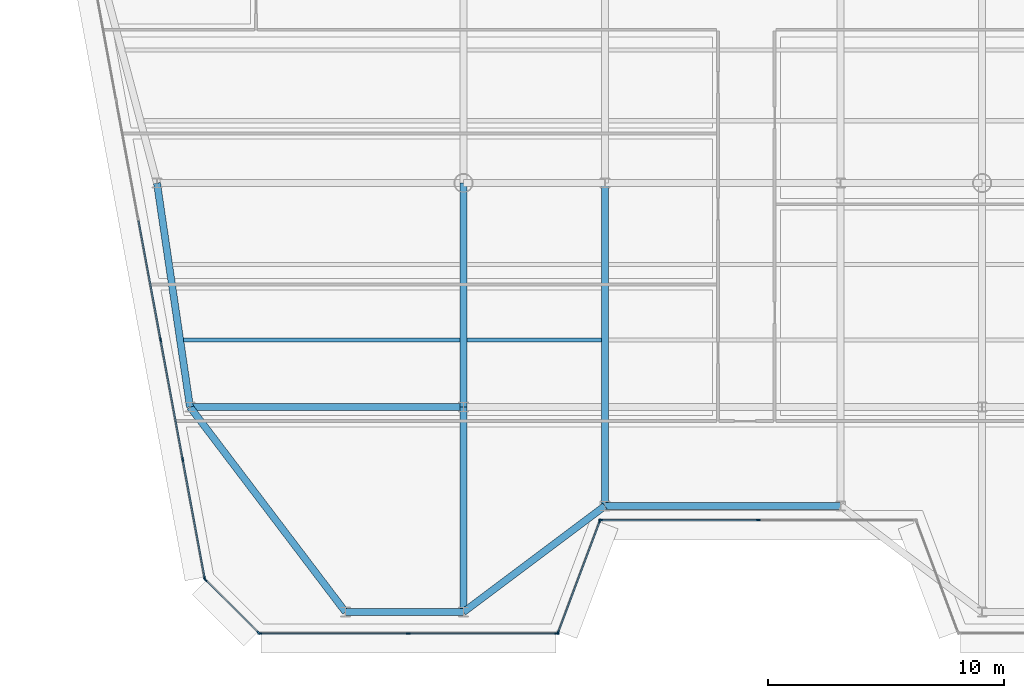
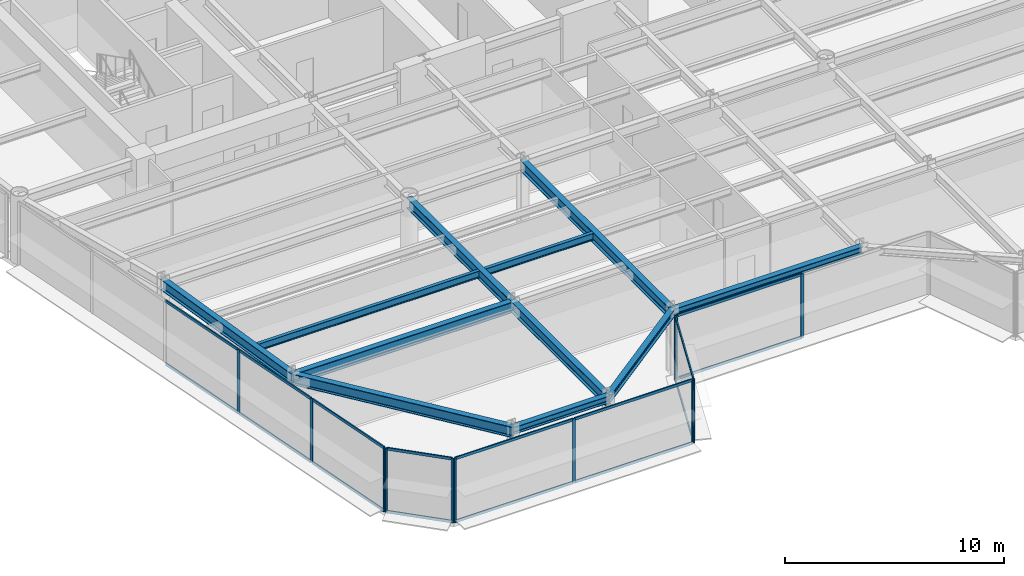
# One storey, part 2 of 16: 28 members, 11 beams, 5 elements without a shape of their own.
"""IFC4 building model written with IfcOpenShell, lengths in metres."""

from ifc_helpers import new_model, si_unit, direction, frame, origin, origin_2d, place, context, subcontext, project, spatial, rectangle, i_section, extrude, source, transform, mapped, material, layer, layer_set, material_profile, profile_set, type_object, element, aggregate, save


model = new_model("IFC4")

# Units and contexts
model_context = context("Model", 3, precision=1e-05, world=origin(), true_north=direction((0.0, 1.0)))
body_context = subcontext(model_context, "Body", "Model", "MODEL_VIEW")
ifc_project = project(units=[si_unit("LENGTHUNIT", "METRE"), si_unit("AREAUNIT", "SQUARE_METRE"), si_unit("VOLUMEUNIT", "CUBIC_METRE"), si_unit("PLANEANGLEUNIT", "RADIAN"), si_unit("MASSUNIT", "GRAM", prefix="KILO")], contexts=[model_context])

# Site, building, storey
site_placement = place(None, origin())
site = spatial("IfcSite", under=ifc_project, at=site_placement, CompositionType="ELEMENT")
building_placement = place(site_placement, origin())
building = spatial("IfcBuilding", under=site, at=building_placement, Name="Vaeldorn Concourse Tower", CompositionType="ELEMENT")
storey_placement = place(building_placement, frame((0.0, 0.0, 223.199951171875)))
storey = spatial("IfcBuildingStorey", under=building, at=storey_placement, Name="L57", CompositionType="ELEMENT", Elevation=223.199951171875)

# Beams
ifc_material_1 = material(Name="Steel S355", Category="steel")
ifc_material_profile_1 = material_profile(ifc_material_1, i_section(OverallWidth=0.300048828125, OverallDepth=0.60009765625, WebThickness=0.015380859375, FlangeThickness=0.030029296875, FilletRadius=0.027099609375, at=origin_2d()), Name="HEB 600")
ifc_profile_set_1 = profile_set([ifc_material_profile_1], Name="Steel S355")
beam_type_1 = type_object("IfcBeamType", Name="BM-PG-HEB600", PredefinedType="BEAM", material=ifc_profile_set_1)
shared_shape_1 = source(origin(), body_context, "Body", "SweptSolid", [
    extrude(i_section(OverallWidth=0.300048828125, OverallDepth=0.60009765625, WebThickness=0.015380859375, FlangeThickness=0.030029296875, FilletRadius=0.027099609375, at=origin_2d()), origin(), (0.0, 0.0, 1.0), 9.6025390625),
])
beam_1_placement = place(storey_placement, frame((10.0, 27.5, 3.280029296875), z_axis=(0.145783835977, -0.989316467652, 0.0), x_axis=(0.989316467652, 0.145783835977, 0.0)))
element("IfcBeam", 1, at=beam_1_placement, inside=storey, type_object=beam_type_1, Name="Beam BM-L57-C-FLW1-C-FLW2", PredefinedType="BEAM", context=body_context, shape_type="MappedRepresentation", body=[
    mapped(shared_shape_1, transform((0.0, 0.0, 0.0), scale=1.0)),
])
shared_shape_2 = source(origin(), body_context, "Body", "SweptSolid", [
    extrude(i_section(OverallWidth=0.300048828125, OverallDepth=0.60009765625, WebThickness=0.015380859375, FlangeThickness=0.030029296875, FilletRadius=0.027099609375, at=origin_2d()), origin(), (0.0, 0.0, 1.0), 11.60009765625),
])
beam_2_placement = place(storey_placement, frame((11.39990234375, 18.0, 3.280029296875), z_axis=(1.0, 0.0, 0.0), x_axis=(0.0, 1.0, 0.0)))
element("IfcBeam", 2, at=beam_2_placement, inside=storey, type_object=beam_type_1, Name="Beam BM-L57-C-FLW2-C-TW5", PredefinedType="BEAM", context=body_context, shape_type="MappedRepresentation", body=[
    mapped(shared_shape_2, transform((0.0, 0.0, 0.0), scale=1.0)),
])
shared_shape_3 = source(origin(), body_context, "Body", "SweptSolid", [
    extrude(i_section(OverallWidth=0.300048828125, OverallDepth=0.60009765625, WebThickness=0.015380859375, FlangeThickness=0.030029296875, FilletRadius=0.027099609375, at=origin_2d()), origin(), (0.0, 0.0, 1.0), 9.5),
])
beam_3_placement = place(storey_placement, frame((23.0, 18.0, 3.280029296875), z_axis=(0.0, 1.0, 0.0), x_axis=(-1.0, 0.0, 0.0)))
element("IfcBeam", 3, at=beam_3_placement, inside=storey, type_object=beam_type_1, Name="Beam BM-L57-C-TW5-C-TW1", PredefinedType="BEAM", context=body_context, shape_type="MappedRepresentation", body=[
    mapped(shared_shape_3, transform((0.0, 0.0, 0.0), scale=1.0)),
])
ifc_material_profile_2 = material_profile(ifc_material_1, i_section(OverallWidth=0.300048828125, OverallDepth=0.39990234375, WebThickness=0.013427734375, FlangeThickness=0.02392578125, FilletRadius=0.027099609375, at=origin_2d()), Name="HEB 400")
ifc_profile_set_2 = profile_set([ifc_material_profile_2], Name="Steel S355")
beam_type_2 = type_object("IfcBeamType", Name="BM-SP-HEB400", PredefinedType="SPANDREL", material=ifc_profile_set_2)
shared_shape_4 = source(origin(), body_context, "Body", "SweptSolid", [
    extrude(i_section(OverallWidth=0.300048828125, OverallDepth=0.39990234375, WebThickness=0.013427734375, FlangeThickness=0.02392578125, FilletRadius=0.027099609375, at=origin_2d()), origin(), (0.0, 0.0, 1.0), 5.0),
])
beam_4_placement = place(storey_placement, frame((18.0, 9.300048828125, 3.380126953125), z_axis=(1.0, 0.0, 0.0), x_axis=(0.0, 1.0, 0.0)))
element("IfcBeam", 4, at=beam_4_placement, inside=storey, type_object=beam_type_2, Name="Beam BM-L57-C-SF1-C-SF2", PredefinedType="SPANDREL", context=body_context, shape_type="MappedRepresentation", body=[
    mapped(shared_shape_4, transform((0.0, 0.0, 0.0), scale=1.0)),
])
shared_shape_5 = source(origin(), body_context, "Body", "SweptSolid", [
    extrude(i_section(OverallWidth=0.300048828125, OverallDepth=0.39990234375, WebThickness=0.013427734375, FlangeThickness=0.02392578125, FilletRadius=0.027099609375, at=origin_2d()), origin(), (0.0, 0.0, 1.0), 7.5),
])
beam_5_placement = place(storey_placement, frame((23.0, 9.300048828125, 3.380126953125), z_axis=(0.8, 0.6, 0.0), x_axis=(-0.6, 0.8, 0.0)))
element("IfcBeam", 5, at=beam_5_placement, inside=storey, type_object=beam_type_2, Name="Beam BM-L57-C-SF2-C-SF3", PredefinedType="SPANDREL", context=body_context, shape_type="MappedRepresentation", body=[
    mapped(shared_shape_5, transform((0.0, 0.0, 0.0), scale=1.0)),
])
shared_shape_6 = source(origin(), body_context, "Body", "SweptSolid", [
    extrude(i_section(OverallWidth=0.300048828125, OverallDepth=0.39990234375, WebThickness=0.013427734375, FlangeThickness=0.02392578125, FilletRadius=0.027099609375, at=origin_2d()), origin(), (0.0, 0.0, 1.0), 10.0),
])
beam_6_placement = place(storey_placement, frame((29.0, 13.800048828125, 3.380126953125), z_axis=(1.0, 0.0, 0.0), x_axis=(0.0, 1.0, 0.0)))
element("IfcBeam", 6, at=beam_6_placement, inside=storey, type_object=beam_type_2, Name="Beam BM-L57-C-SF3-C-SF4", PredefinedType="SPANDREL", context=body_context, shape_type="MappedRepresentation", body=[
    mapped(shared_shape_6, transform((0.0, 0.0, 0.0), scale=1.0)),
])
ifc_material_profile_3 = material_profile(ifc_material_1, i_section(OverallWidth=0.179931640625, OverallDepth=0.39990234375, WebThickness=0.008544921875, FlangeThickness=0.013427734375, FilletRadius=0.02099609375, at=origin_2d()), Name="IPE 400")
ifc_profile_set_3 = profile_set([ifc_material_profile_3], Name="Steel S355")
beam_type_3 = type_object("IfcBeamType", Name="BM-JS-IPE400", PredefinedType="JOIST", material=ifc_profile_set_3)
shared_shape_7 = source(origin(), body_context, "Body", "SweptSolid", [
    extrude(i_section(OverallWidth=0.179931640625, OverallDepth=0.39990234375, WebThickness=0.008544921875, FlangeThickness=0.013427734375, FilletRadius=0.02099609375, at=origin_2d()), origin(), (0.0, 0.0, 1.0), 5.7001953125),
])
beam_7_placement = place(storey_placement, frame((23.14990234375, 20.840087890625, 3.380126953125), z_axis=(1.0, 0.0, 0.0), x_axis=(0.0, 1.0, 0.0)))
element("IfcBeam", 7, at=beam_7_placement, inside=storey, type_object=beam_type_3, Name="Beam JS-L57-W2-208", PredefinedType="JOIST", context=body_context, shape_type="MappedRepresentation", body=[
    mapped(shared_shape_7, transform((0.0, 0.0, 0.0), scale=1.0)),
])
shared_shape_8 = source(origin(), body_context, "Body", "SweptSolid", [
    extrude(i_section(OverallWidth=0.300048828125, OverallDepth=0.60009765625, WebThickness=0.015380859375, FlangeThickness=0.030029296875, FilletRadius=0.027099609375, at=origin_2d()), origin(), (0.0, 0.0, 1.0), 10.920166015625),
])
beam_8_placement = place(storey_placement, frame((18.0, 9.300048828125, 3.280029296875), z_axis=(-0.604394310451, 0.796685331542, 0.0), x_axis=(-0.796685331542, -0.604394310451, 0.0)))
element("IfcBeam", 8, at=beam_8_placement, inside=storey, type_object=beam_type_1, Name="Beam BM-L57-C-SF1-C-FLW2", PredefinedType="BEAM", context=body_context, shape_type="MappedRepresentation", body=[
    mapped(shared_shape_8, transform((0.0, 0.0, 0.0), scale=1.0)),
])
shared_shape_9 = source(origin(), body_context, "Body", "SweptSolid", [
    extrude(i_section(OverallWidth=0.300048828125, OverallDepth=0.60009765625, WebThickness=0.015380859375, FlangeThickness=0.030029296875, FilletRadius=0.027099609375, at=origin_2d()), origin(), (0.0, 0.0, 1.0), 8.699951171875),
])
beam_9_placement = place(storey_placement, frame((23.0, 9.300048828125, 3.280029296875), z_axis=(0.0, 1.0, 0.0), x_axis=(-1.0, 0.0, 0.0)))
element("IfcBeam", 9, at=beam_9_placement, inside=storey, type_object=beam_type_1, Name="Beam BM-L57-C-SF2-C-TW5", PredefinedType="BEAM", context=body_context, shape_type="MappedRepresentation", body=[
    mapped(shared_shape_9, transform((0.0, 0.0, 0.0), scale=1.0)),
])
shared_shape_10 = source(origin(), body_context, "Body", "SweptSolid", [
    extrude(i_section(OverallWidth=0.300048828125, OverallDepth=0.60009765625, WebThickness=0.015380859375, FlangeThickness=0.030029296875, FilletRadius=0.027099609375, at=origin_2d()), origin(), (0.0, 0.0, 1.0), 13.699951171875),
])
beam_10_placement = place(storey_placement, frame((29.0, 13.800048828125, 3.280029296875), z_axis=(0.0, 1.0, 0.0), x_axis=(-1.0, 0.0, 0.0)))
element("IfcBeam", 10, at=beam_10_placement, inside=storey, type_object=beam_type_1, Name="Beam BM-L57-C-SF3-C-TW2", PredefinedType="BEAM", context=body_context, shape_type="MappedRepresentation", body=[
    mapped(shared_shape_10, transform((0.0, 0.0, 0.0), scale=1.0)),
])
shared_shape_11 = source(origin(), body_context, "Body", "SweptSolid", [
    extrude(i_section(OverallWidth=0.179931640625, OverallDepth=0.39990234375, WebThickness=0.008544921875, FlangeThickness=0.013427734375, FilletRadius=0.02099609375, at=origin_2d()), origin(), (0.0, 0.0, 1.0), 11.718505859375),
])
beam_11_placement = place(storey_placement, frame((11.131591796875, 20.840087890625, 3.380126953125), z_axis=(1.0, 0.0, 0.0), x_axis=(0.0, 1.0, 0.0)))
element("IfcBeam", 11, at=beam_11_placement, inside=storey, type_object=beam_type_3, Name="Beam JS-L57-W1-208", PredefinedType="JOIST", context=body_context, shape_type="MappedRepresentation", body=[
    mapped(shared_shape_11, transform((0.0, 0.0, 0.0), scale=1.0)),
])

# Curtain wall, members
ifc_material_2 = material(Name="Anodised Bronze Aluminium", Category="aluminium")
ifc_layer = layer(ifc_material_2, 0.179931640625)
ifc_layer_set = layer_set([ifc_layer], Name="Anodised Bronze Aluminium")
curtain_wall_type = type_object("IfcCurtainWallType", Name="CW-SYS-05", PredefinedType="NOTDEFINED", material=ifc_layer_set)
curtain_wall_1_placement = place(storey_placement, origin())
curtain_wall_1 = element("IfcCurtainWall", 12, at=curtain_wall_1_placement, inside=storey, type_object=curtain_wall_type, Name="Unitised Curtain Wall CW-L57-E02-1", PredefinedType="NOTDEFINED")
ifc_material_profile_4 = material_profile(ifc_material_2, rectangle(XDim=0.06494140625, YDim=0.14990234375, at=origin_2d()), Name="CWT 65x150")
ifc_profile_set_4 = profile_set([ifc_material_profile_4], Name="Anodised Bronze Aluminium")
member_type_1 = type_object("IfcMemberType", Name="CWT-BRONZE-150", PredefinedType="USERDEFINED", material=ifc_profile_set_4)
shared_shape_12 = source(origin(), body_context, "Body", "SweptSolid", [
    extrude(rectangle(XDim=0.06494140625, YDim=0.14990234375, at=origin_2d()), origin(), (0.0, 0.0, 1.0), 4.996337890625),
])
member_1_placement = place(storey_placement, frame((27.022705078125, 8.4609375, 0.032470703125), z_axis=(0.351134151405, 0.936325161318, 0.0), x_axis=(-0.936325161318, 0.351134151405, 0.0)))
member_1 = element("IfcMember", 13, at=member_1_placement, type_object=member_type_1, Name="CW-05 transom 1.1", ObjectType="TRANSOM", PredefinedType="USERDEFINED", context=body_context, shape_type="MappedRepresentation", body=[
    mapped(shared_shape_12, transform((0.0, 0.0, 0.0), scale=1.0)),
])
member_2_placement = place(storey_placement, frame((27.022705078125, 8.4609375, 3.547607421875), z_axis=(0.351134151405, 0.936325161318, 0.0), x_axis=(-0.936325161318, 0.351134151405, 0.0)))
member_2 = element("IfcMember", 14, at=member_2_placement, type_object=member_type_1, Name="CW-05 transom 1.2", ObjectType="TRANSOM", PredefinedType="USERDEFINED", context=body_context, shape_type="MappedRepresentation", body=[
    mapped(shared_shape_12, transform((0.0, 0.0, 0.0), scale=1.0)),
])

curtain_wall_2_placement = place(storey_placement, origin())
curtain_wall_2 = element("IfcCurtainWall", 15, at=curtain_wall_2_placement, inside=storey, type_object=curtain_wall_type, Name="Unitised Curtain Wall CW-L57-E03-1", PredefinedType="NOTDEFINED")
shared_shape_13 = source(origin(), body_context, "Body", "SweptSolid", [
    extrude(rectangle(XDim=0.06494140625, YDim=0.14990234375, at=origin_2d()), origin(), (0.0, 0.0, 1.0), 6.6025390625),
])
member_3_placement = place(storey_placement, frame((28.864990234375, 13.199951171875, 0.032470703125), z_axis=(1.0, 0.0, 0.0), x_axis=(0.0, 1.0, 0.0)))
member_3 = element("IfcMember", 16, at=member_3_placement, type_object=member_type_1, Name="CW-05 transom 1.1", ObjectType="TRANSOM", PredefinedType="USERDEFINED", context=body_context, shape_type="MappedRepresentation", body=[
    mapped(shared_shape_13, transform((0.0, 0.0, 0.0), scale=1.0)),
])
member_4_placement = place(storey_placement, frame((28.864990234375, 13.199951171875, 3.547607421875), z_axis=(1.0, 0.0, 0.0), x_axis=(0.0, 1.0, 0.0)))
member_4 = element("IfcMember", 17, at=member_4_placement, type_object=member_type_1, Name="CW-05 transom 1.2", ObjectType="TRANSOM", PredefinedType="USERDEFINED", context=body_context, shape_type="MappedRepresentation", body=[
    mapped(shared_shape_13, transform((0.0, 0.0, 0.0), scale=1.0)),
])

curtain_wall_3_placement = place(storey_placement, origin())
curtain_wall_3 = element("IfcCurtainWall", 18, at=curtain_wall_3_placement, inside=storey, type_object=curtain_wall_type, Name="Unitised Curtain Wall CW-L57-E12-1", PredefinedType="NOTDEFINED")
shared_shape_14 = source(origin(), body_context, "Body", "SweptSolid", [
    extrude(rectangle(XDim=0.06494140625, YDim=0.14990234375, at=origin_2d()), origin(), (0.0, 0.0, 1.0), 3.12255859375),
])
member_5_placement = place(storey_placement, frame((12.074951171875, 10.654052734375, 0.032470703125), z_axis=(0.707106781187, -0.707106781187, 0.0), x_axis=(0.707106781187, 0.707106781187, 0.0)))
member_5 = element("IfcMember", 19, at=member_5_placement, type_object=member_type_1, Name="CW-05 transom 1.1", ObjectType="TRANSOM", PredefinedType="USERDEFINED", context=body_context, shape_type="MappedRepresentation", body=[
    mapped(shared_shape_14, transform((0.0, 0.0, 0.0), scale=1.0)),
])
member_6_placement = place(storey_placement, frame((12.074951171875, 10.654052734375, 3.547607421875), z_axis=(0.707106781187, -0.707106781187, 0.0), x_axis=(0.707106781187, 0.707106781187, 0.0)))
member_6 = element("IfcMember", 20, at=member_6_placement, type_object=member_type_1, Name="CW-05 transom 1.2", ObjectType="TRANSOM", PredefinedType="USERDEFINED", context=body_context, shape_type="MappedRepresentation", body=[
    mapped(shared_shape_14, transform((0.0, 0.0, 0.0), scale=1.0)),
])

curtain_wall_4_placement = place(storey_placement, origin())
curtain_wall_4 = element("IfcCurtainWall", 21, at=curtain_wall_4_placement, inside=storey, type_object=curtain_wall_type, Name="Unitised Curtain Wall CW-L57-E01-1", PredefinedType="NOTDEFINED")
ifc_material_profile_5 = material_profile(ifc_material_2, rectangle(XDim=0.06494140625, YDim=0.169921875, at=origin_2d()), Name="CWM 65x170")
ifc_profile_set_5 = profile_set([ifc_material_profile_5], Name="Anodised Bronze Aluminium")
member_type_2 = type_object("IfcMemberType", Name="CWM-BRONZE-170", PredefinedType="MULLION", material=ifc_profile_set_5)
shared_shape_15 = source(origin(), body_context, "Body", "SweptSolid", [
    extrude(rectangle(XDim=0.06494140625, YDim=0.169921875, at=origin_2d()), origin(), (0.0, 0.0, 1.0), 3.580078125),
])
member_7_placement = place(storey_placement, frame((14.361572265625, 8.39990234375, 0.0), z_axis=(0.0, 0.0, 1.0), x_axis=(0.0, 1.0, 0.0)))
member_7 = element("IfcMember", 22, at=member_7_placement, type_object=member_type_2, Name="CW-05 mullion 1", PredefinedType="MULLION", context=body_context, shape_type="MappedRepresentation", body=[
    mapped(shared_shape_15, transform((0.0, 0.0, 0.0), scale=1.0)),
])
member_8_placement = place(storey_placement, frame((20.66455078125, 8.39990234375, 0.0), z_axis=(0.0, 0.0, 1.0), x_axis=(0.0, 1.0, 0.0)))
member_8 = element("IfcMember", 23, at=member_8_placement, type_object=member_type_2, Name="CW-05 mullion 2", PredefinedType="MULLION", context=body_context, shape_type="MappedRepresentation", body=[
    mapped(shared_shape_15, transform((0.0, 0.0, 0.0), scale=1.0)),
])
member_9_placement = place(storey_placement, frame((26.967529296875, 8.39990234375, 0.0), z_axis=(0.0, 0.0, 1.0), x_axis=(0.0, 1.0, 0.0)))
member_9 = element("IfcMember", 24, at=member_9_placement, type_object=member_type_2, Name="CW-05 mullion 3", PredefinedType="MULLION", context=body_context, shape_type="MappedRepresentation", body=[
    mapped(shared_shape_15, transform((0.0, 0.0, 0.0), scale=1.0)),
])

# Member
member_10_placement = place(storey_placement, frame((27.011474609375, 8.430419921875, 0.0), z_axis=(0.0, 0.0, 1.0), x_axis=(-0.936329177566, 0.351123441595, 0.0)))
member_10 = element("IfcMember", 25, at=member_10_placement, type_object=member_type_2, Name="CW-05 mullion 1", PredefinedType="MULLION", context=body_context, shape_type="MappedRepresentation", body=[
    mapped(shared_shape_15, transform((0.0, 0.0, 0.0), scale=1.0)),
])

member_11_placement = place(storey_placement, frame((28.78857421875, 13.169677734375, 0.0), z_axis=(0.0, 0.0, 1.0), x_axis=(-0.936329177566, 0.351123441595, 0.0)))
member_11 = element("IfcMember", 26, at=member_11_placement, type_object=member_type_2, Name="CW-05 mullion 2", PredefinedType="MULLION", context=body_context, shape_type="MappedRepresentation", body=[
    mapped(shared_shape_15, transform((0.0, 0.0, 0.0), scale=1.0)),
])

aggregate(curtain_wall_1, [member_10, member_11, member_1, member_2])

member_12_placement = place(storey_placement, frame((28.83251953125, 13.199951171875, 0.0), z_axis=(0.0, 0.0, 1.0), x_axis=(0.0, 1.0, 0.0)))
member_12 = element("IfcMember", 27, at=member_12_placement, type_object=member_type_2, Name="CW-05 mullion 1", PredefinedType="MULLION", context=body_context, shape_type="MappedRepresentation", body=[
    mapped(shared_shape_15, transform((0.0, 0.0, 0.0), scale=1.0)),
])

member_13_placement = place(storey_placement, frame((35.5, 13.199951171875, 0.0), z_axis=(0.0, 0.0, 1.0), x_axis=(0.0, 1.0, 0.0)))
member_13 = element("IfcMember", 28, at=member_13_placement, type_object=member_type_2, Name="CW-05 mullion 2", PredefinedType="MULLION", context=body_context, shape_type="MappedRepresentation", body=[
    mapped(shared_shape_15, transform((0.0, 0.0, 0.0), scale=1.0)),
])

aggregate(curtain_wall_2, [member_12, member_13, member_3, member_4])

# Curtain wall, members
curtain_wall_5_placement = place(storey_placement, origin())
curtain_wall_5 = element("IfcCurtainWall", 29, at=curtain_wall_5_placement, inside=storey, type_object=curtain_wall_type, Name="Unitised Curtain Wall CW-L57-E11-2", PredefinedType="NOTDEFINED")
member_14_placement = place(storey_placement, frame((10.15087890625, 20.853515625, 0.0), z_axis=(0.0, 0.0, 1.0), x_axis=(0.983319079021, 0.181888946432, 0.0)))
member_14 = element("IfcMember", 30, at=member_14_placement, type_object=member_type_2, Name="CW-05 mullion 4", PredefinedType="MULLION", context=body_context, shape_type="MappedRepresentation", body=[
    mapped(shared_shape_15, transform((0.0, 0.0, 0.0), scale=1.0)),
])
member_15_placement = place(storey_placement, frame((11.08984375, 15.776611328125, 0.0), z_axis=(0.0, 0.0, 1.0), x_axis=(0.983319079021, 0.181888946432, 0.0)))
member_15 = element("IfcMember", 31, at=member_15_placement, type_object=member_type_2, Name="CW-05 mullion 5", PredefinedType="MULLION", context=body_context, shape_type="MappedRepresentation", body=[
    mapped(shared_shape_15, transform((0.0, 0.0, 0.0), scale=1.0)),
])
member_16_placement = place(storey_placement, frame((12.023193359375, 10.73193359375, 0.0), z_axis=(0.0, 0.0, 1.0), x_axis=(0.983319079021, 0.181888946432, 0.0)))
member_16 = element("IfcMember", 32, at=member_16_placement, type_object=member_type_2, Name="CW-05 mullion 6", PredefinedType="MULLION", context=body_context, shape_type="MappedRepresentation", body=[
    mapped(shared_shape_15, transform((0.0, 0.0, 0.0), scale=1.0)),
])

# Member
member_17_placement = place(storey_placement, frame((12.052001953125, 10.677001953125, 0.0), z_axis=(0.0, 0.0, 1.0), x_axis=(0.707106781187, 0.707106781187, 0.0)))
member_17 = element("IfcMember", 33, at=member_17_placement, type_object=member_type_2, Name="CW-05 mullion 1", PredefinedType="MULLION", context=body_context, shape_type="MappedRepresentation", body=[
    mapped(shared_shape_15, transform((0.0, 0.0, 0.0), scale=1.0)),
])

member_18_placement = place(storey_placement, frame((14.305908203125, 8.423095703125, 0.0), z_axis=(0.0, 0.0, 1.0), x_axis=(0.707106781187, 0.707106781187, 0.0)))
member_18 = element("IfcMember", 34, at=member_18_placement, type_object=member_type_2, Name="CW-05 mullion 2", PredefinedType="MULLION", context=body_context, shape_type="MappedRepresentation", body=[
    mapped(shared_shape_15, transform((0.0, 0.0, 0.0), scale=1.0)),
])

aggregate(curtain_wall_3, [member_17, member_18, member_5, member_6])

shared_shape_16 = source(origin(), body_context, "Body", "SweptSolid", [
    extrude(rectangle(XDim=0.06494140625, YDim=0.14990234375, at=origin_2d()), origin(), (0.0, 0.0, 1.0), 5.065185546875),
])
member_19_placement = place(storey_placement, frame((11.095947265625, 15.74462890625, 0.032470703125), z_axis=(0.181857972654, -0.983324807875, 0.0), x_axis=(0.983324807875, 0.181857972654, 0.0)))
member_19 = element("IfcMember", 35, at=member_19_placement, type_object=member_type_1, Name="CW-05 transom 5.1", ObjectType="TRANSOM", PredefinedType="USERDEFINED", context=body_context, shape_type="MappedRepresentation", body=[
    mapped(shared_shape_16, transform((0.0, 0.0, 0.0), scale=1.0)),
])

member_20_placement = place(storey_placement, frame((11.095947265625, 15.74462890625, 3.547607421875), z_axis=(0.181857972654, -0.983324807875, 0.0), x_axis=(0.983324807875, 0.181857972654, 0.0)))
member_20 = element("IfcMember", 36, at=member_20_placement, type_object=member_type_1, Name="CW-05 transom 5.2", ObjectType="TRANSOM", PredefinedType="USERDEFINED", context=body_context, shape_type="MappedRepresentation", body=[
    mapped(shared_shape_16, transform((0.0, 0.0, 0.0), scale=1.0)),
])

shared_shape_17 = source(origin(), body_context, "Body", "SweptSolid", [
    extrude(rectangle(XDim=0.06494140625, YDim=0.14990234375, at=origin_2d()), origin(), (0.0, 0.0, 1.0), 5.097900390625),
])
member_21_placement = place(storey_placement, frame((9.2177734375, 25.898193359375, 0.032470703125), z_axis=(0.181885185048, -0.983319774773, 0.0), x_axis=(0.983319774773, 0.181885185048, 0.0)))
member_21 = element("IfcMember", 37, at=member_21_placement, type_object=member_type_1, Name="CW-05 transom 3.1", ObjectType="TRANSOM", PredefinedType="USERDEFINED", context=body_context, shape_type="MappedRepresentation", body=[
    mapped(shared_shape_17, transform((0.0, 0.0, 0.0), scale=1.0)),
])

member_22_placement = place(storey_placement, frame((9.2177734375, 25.898193359375, 3.547607421875), z_axis=(0.181885185048, -0.983319774773, 0.0), x_axis=(0.983319774773, 0.181885185048, 0.0)))
member_22 = element("IfcMember", 38, at=member_22_placement, type_object=member_type_1, Name="CW-05 transom 3.2", ObjectType="TRANSOM", PredefinedType="USERDEFINED", context=body_context, shape_type="MappedRepresentation", body=[
    mapped(shared_shape_17, transform((0.0, 0.0, 0.0), scale=1.0)),
])

member_23_placement = place(storey_placement, frame((10.15673828125, 20.821533203125, 0.032470703125), z_axis=(0.181885185048, -0.983319774773, 0.0), x_axis=(0.983319774773, 0.181885185048, 0.0)))
member_23 = element("IfcMember", 39, at=member_23_placement, type_object=member_type_1, Name="CW-05 transom 4.1", ObjectType="TRANSOM", PredefinedType="USERDEFINED", context=body_context, shape_type="MappedRepresentation", body=[
    mapped(shared_shape_17, transform((0.0, 0.0, 0.0), scale=1.0)),
])

member_24_placement = place(storey_placement, frame((10.15673828125, 20.821533203125, 3.547607421875), z_axis=(0.181885185048, -0.983319774773, 0.0), x_axis=(0.983319774773, 0.181885185048, 0.0)))
member_24 = element("IfcMember", 40, at=member_24_placement, type_object=member_type_1, Name="CW-05 transom 4.2", ObjectType="TRANSOM", PredefinedType="USERDEFINED", context=body_context, shape_type="MappedRepresentation", body=[
    mapped(shared_shape_17, transform((0.0, 0.0, 0.0), scale=1.0)),
])

aggregate(curtain_wall_5, [member_14, member_15, member_16, member_21, member_22, member_23, member_24, member_19, member_20])

shared_shape_18 = source(origin(), body_context, "Body", "SweptSolid", [
    extrude(rectangle(XDim=0.06494140625, YDim=0.14990234375, at=origin_2d()), origin(), (0.0, 0.0, 1.0), 6.238037109375),
])
member_25_placement = place(storey_placement, frame((14.39404296875, 8.39990234375, 0.032470703125), z_axis=(1.0, 0.0, 0.0), x_axis=(0.0, 1.0, 0.0)))
member_25 = element("IfcMember", 41, at=member_25_placement, type_object=member_type_1, Name="CW-05 transom 1.1", ObjectType="TRANSOM", PredefinedType="USERDEFINED", context=body_context, shape_type="MappedRepresentation", body=[
    mapped(shared_shape_18, transform((0.0, 0.0, 0.0), scale=1.0)),
])

member_26_placement = place(storey_placement, frame((14.39404296875, 8.39990234375, 3.547607421875), z_axis=(1.0, 0.0, 0.0), x_axis=(0.0, 1.0, 0.0)))
member_26 = element("IfcMember", 42, at=member_26_placement, type_object=member_type_1, Name="CW-05 transom 1.2", ObjectType="TRANSOM", PredefinedType="USERDEFINED", context=body_context, shape_type="MappedRepresentation", body=[
    mapped(shared_shape_18, transform((0.0, 0.0, 0.0), scale=1.0)),
])

member_27_placement = place(storey_placement, frame((20.697021484375, 8.39990234375, 0.032470703125), z_axis=(1.0, 0.0, 0.0), x_axis=(0.0, 1.0, 0.0)))
member_27 = element("IfcMember", 43, at=member_27_placement, type_object=member_type_1, Name="CW-05 transom 2.1", ObjectType="TRANSOM", PredefinedType="USERDEFINED", context=body_context, shape_type="MappedRepresentation", body=[
    mapped(shared_shape_18, transform((0.0, 0.0, 0.0), scale=1.0)),
])

member_28_placement = place(storey_placement, frame((20.697021484375, 8.39990234375, 3.547607421875), z_axis=(1.0, 0.0, 0.0), x_axis=(0.0, 1.0, 0.0)))
member_28 = element("IfcMember", 44, at=member_28_placement, type_object=member_type_1, Name="CW-05 transom 2.2", ObjectType="TRANSOM", PredefinedType="USERDEFINED", context=body_context, shape_type="MappedRepresentation", body=[
    mapped(shared_shape_18, transform((0.0, 0.0, 0.0), scale=1.0)),
])

aggregate(curtain_wall_4, [member_7, member_8, member_9, member_25, member_26, member_27, member_28])

save(model, "model.ifc")
